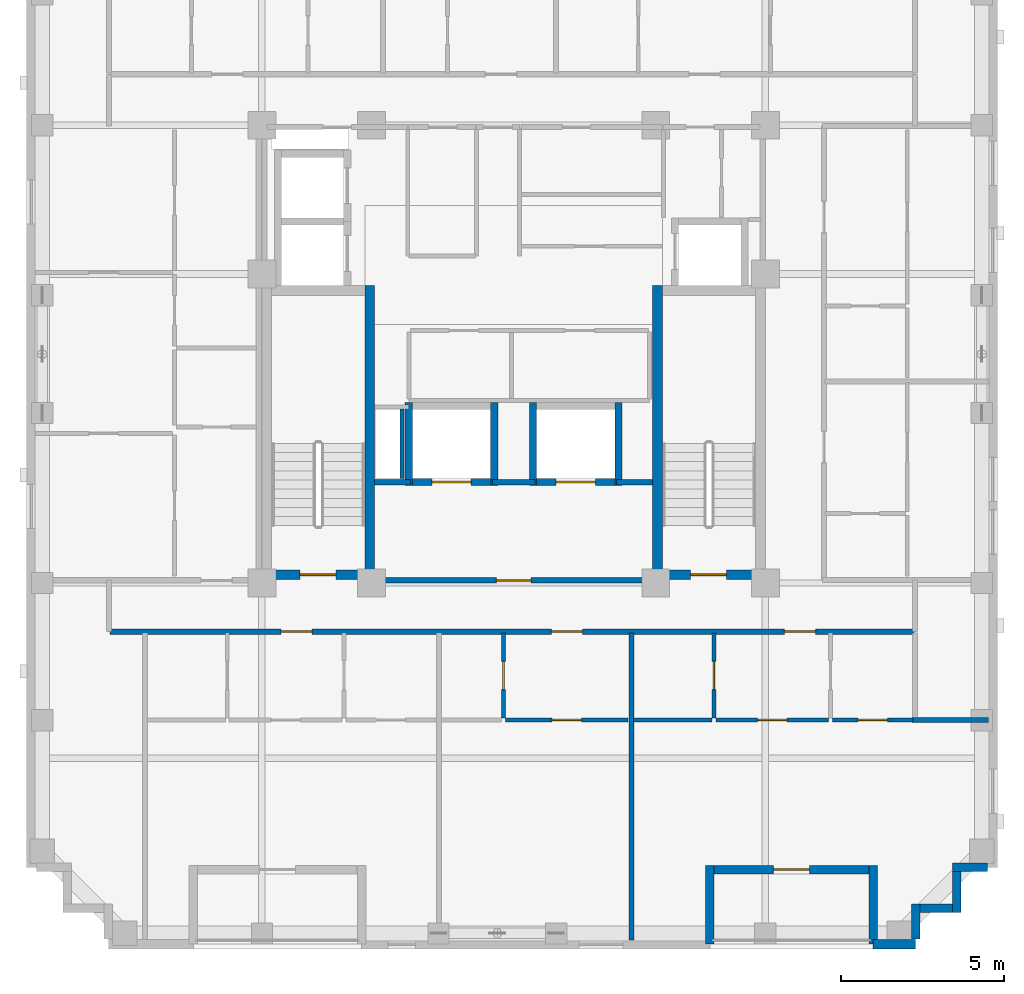
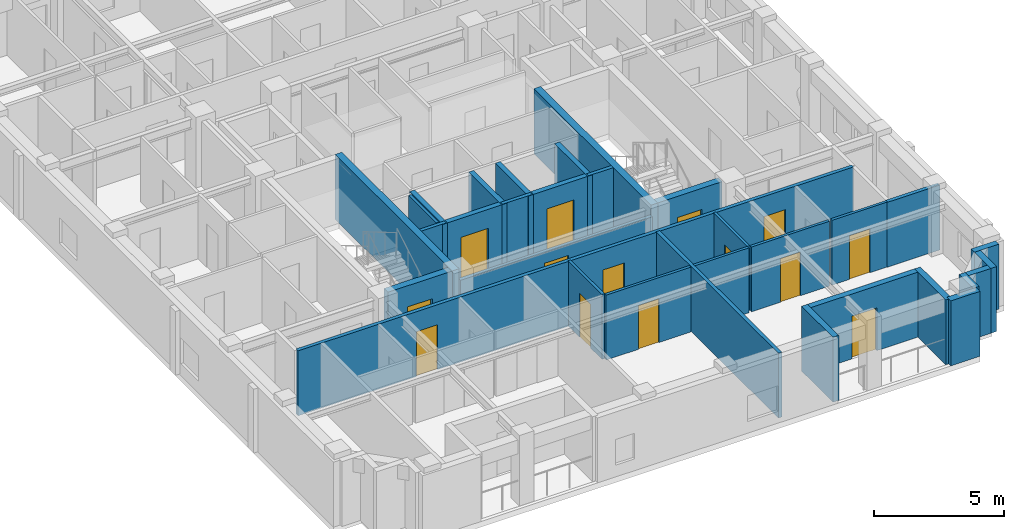
# One storey, part 3 of 11: 32 walls, 14 doors, 14 openings.
"""IFC4 building model written with IfcOpenShell, lengths in metres."""

from ifc_helpers import new_model, si_unit, derived_unit, direction, frame, frame_2d, origin, place, context, subcontext, project, spatial, rectangle, extrude, material, layer, layer_set, type_object, element, fill, save


model = new_model("IFC4")

# Units and contexts
model_context = context("Model", 3, precision=1e-05, world=origin(), true_north=direction((0.0, 1.0)))
body_context = subcontext(model_context, "Body", "Model", "MODEL_VIEW")
ifc_project = project(units=[si_unit("LENGTHUNIT", "METRE"), si_unit("AREAUNIT", "SQUARE_METRE"), si_unit("VOLUMEUNIT", "CUBIC_METRE"), si_unit("PLANEANGLEUNIT", "RADIAN"), si_unit("MASSUNIT", "GRAM", prefix="KILO"), derived_unit("THERMALTRANSMITTANCEUNIT", [(si_unit("MASSUNIT", "GRAM", prefix="KILO"), 1), (si_unit("TIMEUNIT", "SECOND"), -3), (si_unit("THERMODYNAMICTEMPERATUREUNIT", "KELVIN"), -1)])], contexts=[model_context])

# Site, building, storey
site_placement = place(None, origin())
site = spatial("IfcSite", under=ifc_project, at=site_placement, CompositionType="ELEMENT")
building_placement = place(site_placement, origin())
building = spatial("IfcBuilding", under=site, at=building_placement, Name="Korrvale Station Residences", CompositionType="ELEMENT")
storey_placement = place(building_placement, frame((0.0, 0.0, 214.0)))
storey = spatial("IfcBuildingStorey", under=building, at=storey_placement, Name="L62", CompositionType="ELEMENT", Elevation=214.0)

# Wall
ifc_material_1 = material(Name="Concrete C50/60", Category="concrete")
ifc_layer_1 = layer(ifc_material_1, 0.300048828125, Name="Concrete C50/60")
ifc_layer_set_1 = layer_set([ifc_layer_1], Name="Concrete C50/60")
wall_type_1 = type_object("IfcWallType", Name="WAL-CORE-300-C50", PredefinedType="SHEAR", material=ifc_layer_set_1)
wall_1_placement = place(storey_placement, frame((21.10009765625, 15.10009765625, 0.0), z_axis=(0.0, 0.0, 1.0), x_axis=(0.0, 1.0, 0.0)))
element("IfcWall", 1, at=wall_1_placement, inside=storey, type_object=wall_type_1, Name="L62 ST-1 Core Shear Wall East", PredefinedType="SHEAR", context=body_context, shape_type="SweptSolid", body=[
    extrude(rectangle(XDim=9.0, YDim=0.300048828125, at=frame_2d((4.5, 0.0))), origin(), (0.0, 0.0, 1.0), 3.0400390625),
])

# Wall, opening, door
wall_2_placement = place(storey_placement, frame((18.10009765625, 15.25, 0.0), z_axis=(0.0, 0.0, 1.0), x_axis=(1.0, 0.0, 0.0)))
wall_2 = element("IfcWall", 2, at=wall_2_placement, inside=storey, type_object=wall_type_1, Name="L62 ST-1 Core Shear Wall South", PredefinedType="SHEAR", context=body_context, shape_type="SweptSolid", body=[
    extrude(rectangle(XDim=2.849853515625, YDim=0.300048828125, at=frame_2d((1.4248046875, 0.0))), origin(), (0.0, 0.0, 1.0), 3.0400390625),
])
opening_1_placement = place(wall_2_placement, frame((0.860107421875, 0.0, 0.0)))
opening_1 = element("IfcOpeningElement", 3, at=opening_1_placement, cuts=wall_2, Name="Opening SD-1100", PredefinedType="OPENING", context=body_context, shape_type="SweptSolid", body=[
    extrude(rectangle(XDim=1.10009765625, YDim=2.050048828125, at=frame_2d((0.550048828125, 1.02490234375))), frame((0.0, 0.16015625, 0.0), z_axis=(0.0, -1.0, 0.0), x_axis=(1.0, 0.0, 0.0)), (0.0, 0.0, 1.0), 0.320068359375),
])
ifc_material_2 = material(Name="Hollow-metal fire-rated stair door with closer", Category="steel")
door_type_1 = type_object("IfcDoorType", Name="DR-STAIR-1100", OperationType="NOTDEFINED", PredefinedType="DOOR", material=ifc_material_2)
door_1_placement = place(opening_1_placement, origin())
door_1 = element("IfcDoor", 4, at=door_1_placement, inside=storey, type_object=door_type_1, Name="L62 ST-1 Exit Stair Door", OperationType="SINGLE_SWING_LEFT", OverallHeight=2.050048828125, OverallWidth=1.10009765625, PredefinedType="DOOR", context=body_context, shape_type="SweptSolid", body=[
    extrude(rectangle(XDim=1.10009765625, YDim=2.050048828125, at=frame_2d((0.550048828125, 1.02490234375))), frame((0.0, 0.02490234375, 0.0), z_axis=(0.0, -1.0, 0.0), x_axis=(1.0, 0.0, 0.0)), (0.0, 0.0, 1.0), 0.050048828125),
])
fill(opening_1, door_1)

# Wall
wall_3_placement = place(storey_placement, frame((29.89990234375, 15.10009765625, 0.0), z_axis=(0.0, 0.0, 1.0), x_axis=(0.0, 1.0, 0.0)))
element("IfcWall", 5, at=wall_3_placement, inside=storey, type_object=wall_type_1, Name="L62 ST-2 Core Shear Wall West", PredefinedType="SHEAR", context=body_context, shape_type="SweptSolid", body=[
    extrude(rectangle(XDim=9.0, YDim=0.300048828125, at=frame_2d((4.5, 0.0))), origin(), (0.0, 0.0, 1.0), 3.0400390625),
])

# Wall, opening, door
wall_4_placement = place(storey_placement, frame((30.050048828125, 15.25, 0.0), z_axis=(0.0, 0.0, 1.0), x_axis=(1.0, 0.0, 0.0)))
wall_4 = element("IfcWall", 6, at=wall_4_placement, inside=storey, type_object=wall_type_1, Name="L62 ST-2 Core Shear Wall South", PredefinedType="SHEAR", context=body_context, shape_type="SweptSolid", body=[
    extrude(rectangle(XDim=2.849853515625, YDim=0.300048828125, at=frame_2d((1.4248046875, 0.0))), origin(), (0.0, 0.0, 1.0), 3.0400390625),
])
opening_2_placement = place(wall_4_placement, frame((0.860107421875, 0.0, 0.0)))
opening_2 = element("IfcOpeningElement", 7, at=opening_2_placement, cuts=wall_4, Name="Opening SD-1100", PredefinedType="OPENING", context=body_context, shape_type="SweptSolid", body=[
    extrude(rectangle(XDim=1.10009765625, YDim=2.050048828125, at=frame_2d((0.550048828125, 1.02490234375))), frame((0.0, 0.16015625, 0.0), z_axis=(0.0, -1.0, 0.0), x_axis=(1.0, 0.0, 0.0)), (0.0, 0.0, 1.0), 0.320068359375),
])
door_2_placement = place(opening_2_placement, origin())
door_2 = element("IfcDoor", 8, at=door_2_placement, inside=storey, type_object=door_type_1, Name="L62 ST-2 Exit Stair Door", OperationType="SINGLE_SWING_RIGHT", OverallHeight=2.050048828125, OverallWidth=1.10009765625, PredefinedType="DOOR", context=body_context, shape_type="SweptSolid", body=[
    extrude(rectangle(XDim=1.10009765625, YDim=2.050048828125, at=frame_2d((0.550048828125, 1.02490234375))), frame((0.0, 0.02490234375, 0.0), z_axis=(0.0, -1.0, 0.0), x_axis=(1.0, 0.0, 0.0)), (0.0, 0.0, 1.0), 0.050048828125),
])
fill(opening_2, door_2)

# Wall
ifc_material_3 = material(Name="Precast concrete C45/55", Category="concrete")
ifc_layer_2 = layer(ifc_material_3, 0.260009765625, Name="Precast concrete C45/55")
ifc_layer_set_2 = layer_set([ifc_layer_2], Name="Precast concrete C45/55")
wall_type_2 = type_object("IfcWallType", Name="WAL-EXT-LOG260", PredefinedType="SOLIDWALL", material=ifc_layer_set_2)
wall_5_placement = place(storey_placement, frame((36.5, 3.9599609375, 0.0), z_axis=(0.0, 0.0, 1.0), x_axis=(0.0, 1.0, 0.0)))
element("IfcWall", 9, at=wall_5_placement, inside=storey, type_object=wall_type_2, Name="L62 Recessed Loggia Wall BAL-L62-S2-L", PredefinedType="SOLIDWALL", context=body_context, shape_type="SweptSolid", body=[
    extrude(rectangle(XDim=2.400146484375, YDim=0.260009765625, at=frame_2d((1.2001953125, 0.0))), origin(), (0.0, 0.0, 1.0), 3.0400390625),
])

# Wall, opening, door
wall_6_placement = place(storey_placement, frame((36.365966796875, 6.22998046875, 0.0), z_axis=(0.0, 0.0, 1.0), x_axis=(-1.0, 0.0, 0.0)))
wall_6 = element("IfcWall", 10, at=wall_6_placement, inside=storey, type_object=wall_type_2, Name="L62 Recessed Loggia Wall BAL-L62-S2-B", PredefinedType="SOLIDWALL", context=body_context, shape_type="SweptSolid", body=[
    extrude(rectangle(XDim=4.73193359375, YDim=0.260009765625, at=frame_2d((2.365966796875, 0.0))), origin(), (0.0, 0.0, 1.0), 3.0400390625),
])
opening_3_placement = place(wall_6_placement, frame((1.81591796875, 0.0, 0.0)))
opening_3 = element("IfcOpeningElement", 11, at=opening_3_placement, cuts=wall_6, Name="Opening BD-01", PredefinedType="OPENING", context=body_context, shape_type="SweptSolid", body=[
    extrude(rectangle(XDim=1.10009765625, YDim=2.0, at=frame_2d((0.550048828125, 1.0))), frame((0.0, 0.14013671875, 0.0), z_axis=(0.0, -1.0, 0.0), x_axis=(1.0, 0.0, 0.0)), (0.0, 0.0, 1.0), 0.280029296875),
])
ifc_material_4 = material(Name="Exterior thermally broken aluminium glazed balcony door", Category="aluminium")
door_type_2 = type_object("IfcDoorType", Name="DR-EXT-BAL", OperationType="NOTDEFINED", PredefinedType="DOOR", material=ifc_material_4)
door_3_placement = place(opening_3_placement, origin())
door_3 = element("IfcDoor", 12, at=door_3_placement, inside=storey, type_object=door_type_2, Name="L62 Loggia Balcony Door BAL-L62-S2", OperationType="SINGLE_SWING_RIGHT", OverallHeight=2.0, OverallWidth=1.10009765625, PredefinedType="DOOR", context=body_context, shape_type="SweptSolid", body=[
    extrude(rectangle(XDim=1.10009765625, YDim=2.0, at=frame_2d((0.550048828125, 1.0))), frame((0.0, 0.02490234375, 0.0), z_axis=(0.0, -1.0, 0.0), x_axis=(1.0, 0.0, 0.0)), (0.0, 0.0, 1.0), 0.050048828125),
])
fill(opening_3, door_3)

# Walls
wall_7_placement = place(storey_placement, frame((31.5, 6.360107421875, 0.0), z_axis=(0.0, 0.0, 1.0), x_axis=(0.0, -1.0, 0.0)))
element("IfcWall", 13, at=wall_7_placement, inside=storey, type_object=wall_type_2, Name="L62 Recessed Loggia Wall BAL-L62-S2-R", PredefinedType="SOLIDWALL", context=body_context, shape_type="SweptSolid", body=[
    extrude(rectangle(XDim=2.400146484375, YDim=0.260009765625, at=frame_2d((1.2001953125, 0.0))), origin(), (0.0, 0.0, 1.0), 3.0400390625),
])
wall_8_placement = place(storey_placement, frame((39.998046875, 6.300048828125, 0.0), z_axis=(0.0, 0.0, 1.0), x_axis=(-1.0, 0.0, 0.0)))
element("IfcWall", 14, at=wall_8_placement, inside=storey, type_object=wall_type_2, Name="L62 Serrated Corner Precast Step SE-1", PredefinedType="SOLIDWALL", context=body_context, shape_type="SweptSolid", body=[
    extrude(rectangle(XDim=1.078125, YDim=0.260009765625, at=frame_2d((0.5390625, 0.0))), origin(), (0.0, 0.0, 1.0), 3.0400390625),
])
wall_9_placement = place(storey_placement, frame((39.050048828125, 6.16796875, 0.0), z_axis=(0.0, 0.0, 1.0), x_axis=(0.0, -1.0, 0.0)))
element("IfcWall", 15, at=wall_9_placement, inside=storey, type_object=wall_type_2, Name="L62 Serrated Corner Precast Step SE-2", PredefinedType="SOLIDWALL", context=body_context, shape_type="SweptSolid", body=[
    extrude(rectangle(XDim=1.248046875, YDim=0.260009765625, at=frame_2d((0.6240234375, 0.0))), origin(), (0.0, 0.0, 1.0), 3.0400390625),
])
wall_10_placement = place(storey_placement, frame((38.91796875, 5.050048828125, 0.0), z_axis=(0.0, 0.0, 1.0), x_axis=(-1.0, 0.0, 0.0)))
element("IfcWall", 16, at=wall_10_placement, inside=storey, type_object=wall_type_2, Name="L62 Serrated Corner Precast Step SE-3", PredefinedType="SOLIDWALL", context=body_context, shape_type="SweptSolid", body=[
    extrude(rectangle(XDim=0.986083984375, YDim=0.260009765625, at=frame_2d((0.4931640625, 0.0))), origin(), (0.0, 0.0, 1.0), 3.0400390625),
])
wall_11_placement = place(storey_placement, frame((37.800048828125, 5.179931640625, 0.0), z_axis=(0.0, 0.0, 1.0), x_axis=(0.0, -1.0, 0.0)))
element("IfcWall", 17, at=wall_11_placement, inside=storey, type_object=wall_type_2, Name="L62 Serrated Corner Precast Step SE-4", PredefinedType="SOLIDWALL", context=body_context, shape_type="SweptSolid", body=[
    extrude(rectangle(XDim=1.077880859375, YDim=0.260009765625, at=frame_2d((0.5390625, 0.0))), origin(), (0.0, 0.0, 1.0), 3.0400390625),
])
ifc_layer_3 = layer(ifc_material_3, 0.300048828125, Name="Precast concrete C45/55")
ifc_layer_set_3 = layer_set([ifc_layer_3], Name="Precast concrete C45/55")
wall_type_3 = type_object("IfcWallType", Name="WAL-EXT-PC300", PredefinedType="SOLIDWALL", material=ifc_layer_set_3)
wall_12_placement = place(storey_placement, frame((37.800048828125, 3.949951171875, 0.0), z_axis=(0.0, 0.0, 1.0), x_axis=(-1.0, 0.0, 0.0)))
element("IfcWall", 18, at=wall_12_placement, inside=storey, type_object=wall_type_3, Name="L62 South Exterior Precast Wall 1", PredefinedType="SOLIDWALL", context=body_context, shape_type="SweptSolid", body=[
    extrude(rectangle(XDim=1.300048828125, YDim=0.300048828125, at=frame_2d((0.64990234375, 0.0))), origin(), (0.0, 0.0, 1.0), 3.0400390625),
])
ifc_material_5 = material(Name="Acoustic steel-stud gypsum board partition", Category="steel")
ifc_layer_4 = layer(ifc_material_5, 0.1201171875, Name="Acoustic steel-stud gypsum board partition")
ifc_layer_set_4 = layer_set([ifc_layer_4], Name="Acoustic steel-stud gypsum board partition")
wall_type_4 = type_object("IfcWallType", Name="WAL-PART-125", PredefinedType="PARTITIONING", material=ifc_layer_set_4)
wall_13_placement = place(storey_placement, frame((22.080078125, 18.199951171875, 0.0), z_axis=(0.0, 0.0, 1.0), x_axis=(0.0, 1.0, 0.0)))
element("IfcWall", 19, at=wall_13_placement, inside=storey, type_object=wall_type_4, Name="L62 Core Partition CW-RSWT", PredefinedType="PARTITIONING", context=body_context, shape_type="SweptSolid", body=[
    extrude(rectangle(XDim=2.1201171875, YDim=0.1201171875, at=frame_2d((1.06005859375, 0.0))), origin(), (0.0, 0.0, 1.0), 3.0400390625),
])

# Wall, opening, door
wall_14_placement = place(storey_placement, frame((25.18994140625, 10.8701171875, 0.0), z_axis=(0.0, 0.0, 1.0), x_axis=(0.0, 1.0, 0.0)))
wall_14 = element("IfcWall", 20, at=wall_14_placement, inside=storey, type_object=wall_type_4, Name="L62 Suite Partition U02-V01", PredefinedType="PARTITIONING", context=body_context, shape_type="SweptSolid", body=[
    extrude(rectangle(XDim=2.599853515625, YDim=0.1201171875, at=frame_2d((1.2998046875, 0.0))), origin(), (0.0, 0.0, 1.0), 3.0400390625),
])
opening_4_placement = place(wall_14_placement, frame((0.8701171875, 0.0, 0.0)))
opening_4 = element("IfcOpeningElement", 21, at=opening_4_placement, cuts=wall_14, Name="Opening DB-860", PredefinedType="OPENING", context=body_context, shape_type="SweptSolid", body=[
    extrude(rectangle(XDim=0.860107421875, YDim=2.050048828125, at=frame_2d((0.43017578125, 1.02490234375))), frame((0.0, 0.070068359375, 0.0), z_axis=(0.0, -1.0, 0.0), x_axis=(1.0, 0.0, 0.0)), (0.0, 0.0, 1.0), 0.14013671875),
])
ifc_material_6 = material(Name="Moisture-resistant solid-core bathroom door", Category="timber")
door_type_3 = type_object("IfcDoorType", Name="DR-BATH-860", OperationType="NOTDEFINED", PredefinedType="DOOR", material=ifc_material_6)
door_4_placement = place(opening_4_placement, origin())
door_4 = element("IfcDoor", 22, at=door_4_placement, inside=storey, type_object=door_type_3, Name="L62 Studio Apartment L62-U02 Bathroom Door", OperationType="SINGLE_SWING_LEFT", OverallHeight=2.050048828125, OverallWidth=0.860107421875, PredefinedType="DOOR", context=body_context, shape_type="SweptSolid", body=[
    extrude(rectangle(XDim=0.860107421875, YDim=2.050048828125, at=frame_2d((0.43017578125, 1.02490234375))), frame((0.0, 0.02490234375, 0.0), z_axis=(0.0, -1.0, 0.0), x_axis=(1.0, 0.0, 0.0)), (0.0, 0.0, 1.0), 0.050048828125),
])
fill(opening_4, door_4)

wall_15_placement = place(storey_placement, frame((25.25, 10.81005859375, 0.0), z_axis=(0.0, 0.0, 1.0), x_axis=(1.0, 0.0, 0.0)))
wall_15 = element("IfcWall", 23, at=wall_15_placement, inside=storey, type_object=wall_type_4, Name="L62 Suite Partition U02-H12", PredefinedType="PARTITIONING", context=body_context, shape_type="SweptSolid", body=[
    extrude(rectangle(XDim=3.7548828125, YDim=0.1201171875, at=frame_2d((1.87744140625, 0.0))), origin(), (0.0, 0.0, 1.0), 3.0400390625),
])
opening_5_placement = place(wall_15_placement, frame((1.427001953125, 0.0, 0.0)))
opening_5 = element("IfcOpeningElement", 24, at=opening_5_placement, cuts=wall_15, Name="Opening DI-900", PredefinedType="OPENING", context=body_context, shape_type="SweptSolid", body=[
    extrude(rectangle(XDim=0.89990234375, YDim=2.050048828125, at=frame_2d((0.449951171875, 1.02490234375))), frame((0.0, 0.070068359375, 0.0), z_axis=(0.0, -1.0, 0.0), x_axis=(1.0, 0.0, 0.0)), (0.0, 0.0, 1.0), 0.14013671875),
])
ifc_material_7 = material(Name="Painted solid-core timber interior room door", Category="wood")
door_type_4 = type_object("IfcDoorType", Name="DR-INT-900", OperationType="NOTDEFINED", PredefinedType="DOOR", material=ifc_material_7)
door_5_placement = place(opening_5_placement, origin())
door_5 = element("IfcDoor", 25, at=door_5_placement, inside=storey, type_object=door_type_4, Name="L62 Studio Apartment L62-U02 Kitchen Door", OperationType="SINGLE_SWING_RIGHT", OverallHeight=2.050048828125, OverallWidth=0.89990234375, PredefinedType="DOOR", context=body_context, shape_type="SweptSolid", body=[
    extrude(rectangle(XDim=0.89990234375, YDim=2.050048828125, at=frame_2d((0.449951171875, 1.02490234375))), frame((0.0, 0.02490234375, 0.0), z_axis=(0.0, -1.0, 0.0), x_axis=(1.0, 0.0, 0.0)), (0.0, 0.0, 1.0), 0.050048828125),
])
fill(opening_5, door_5)

wall_16_placement = place(storey_placement, frame((31.625, 10.8701171875, 0.0), z_axis=(0.0, 0.0, 1.0), x_axis=(0.0, 1.0, 0.0)))
wall_16 = element("IfcWall", 26, at=wall_16_placement, inside=storey, type_object=wall_type_4, Name="L62 Suite Partition U03-V01", PredefinedType="PARTITIONING", context=body_context, shape_type="SweptSolid", body=[
    extrude(rectangle(XDim=2.599853515625, YDim=0.1201171875, at=frame_2d((1.2998046875, 0.0))), origin(), (0.0, 0.0, 1.0), 3.0400390625),
])
opening_6_placement = place(wall_16_placement, frame((0.8701171875, 0.0, 0.0)))
opening_6 = element("IfcOpeningElement", 27, at=opening_6_placement, cuts=wall_16, Name="Opening DB-860", PredefinedType="OPENING", context=body_context, shape_type="SweptSolid", body=[
    extrude(rectangle(XDim=0.860107421875, YDim=2.050048828125, at=frame_2d((0.43017578125, 1.02490234375))), frame((0.0, 0.070068359375, 0.0), z_axis=(0.0, -1.0, 0.0), x_axis=(1.0, 0.0, 0.0)), (0.0, 0.0, 1.0), 0.14013671875),
])
door_6_placement = place(opening_6_placement, origin())
door_6 = element("IfcDoor", 28, at=door_6_placement, inside=storey, type_object=door_type_3, Name="L62 Studio Apartment L62-U03 Bathroom Door", OperationType="SINGLE_SWING_LEFT", OverallHeight=2.050048828125, OverallWidth=0.860107421875, PredefinedType="DOOR", context=body_context, shape_type="SweptSolid", body=[
    extrude(rectangle(XDim=0.860107421875, YDim=2.050048828125, at=frame_2d((0.43017578125, 1.02490234375))), frame((0.0, 0.02490234375, 0.0), z_axis=(0.0, -1.0, 0.0), x_axis=(1.0, 0.0, 0.0)), (0.0, 0.0, 1.0), 0.050048828125),
])
fill(opening_6, door_6)

# Wall
wall_17_placement = place(storey_placement, frame((29.1650390625, 10.81005859375, 0.0), z_axis=(0.0, 0.0, 1.0), x_axis=(1.0, 0.0, 0.0)))
element("IfcWall", 29, at=wall_17_placement, inside=storey, type_object=wall_type_4, Name="L62 Suite Partition U03-H03", PredefinedType="PARTITIONING", context=body_context, shape_type="SweptSolid", body=[
    extrude(rectangle(XDim=2.39990234375, YDim=0.1201171875, at=frame_2d((1.199951171875, 0.0))), origin(), (0.0, 0.0, 1.0), 3.0400390625),
])

# Wall, opening, door
wall_18_placement = place(storey_placement, frame((31.68505859375, 10.81005859375, 0.0), z_axis=(0.0, 0.0, 1.0), x_axis=(1.0, 0.0, 0.0)))
wall_18 = element("IfcWall", 30, at=wall_18_placement, inside=storey, type_object=wall_type_4, Name="L62 Suite Partition U03-H13", PredefinedType="PARTITIONING", context=body_context, shape_type="SweptSolid", body=[
    extrude(rectangle(XDim=3.449951171875, YDim=0.1201171875, at=frame_2d((1.72509765625, 0.0))), origin(), (0.0, 0.0, 1.0), 3.0400390625),
])
opening_7_placement = place(wall_18_placement, frame((1.27490234375, 0.0, 0.0)))
opening_7 = element("IfcOpeningElement", 31, at=opening_7_placement, cuts=wall_18, Name="Opening DI-900", PredefinedType="OPENING", context=body_context, shape_type="SweptSolid", body=[
    extrude(rectangle(XDim=0.89990234375, YDim=2.050048828125, at=frame_2d((0.449951171875, 1.02490234375))), frame((0.0, 0.070068359375, 0.0), z_axis=(0.0, -1.0, 0.0), x_axis=(1.0, 0.0, 0.0)), (0.0, 0.0, 1.0), 0.14013671875),
])
door_7_placement = place(opening_7_placement, origin())
door_7 = element("IfcDoor", 32, at=door_7_placement, inside=storey, type_object=door_type_4, Name="L62 Studio Apartment L62-U03 Kitchen Door", OperationType="SINGLE_SWING_LEFT", OverallHeight=2.050048828125, OverallWidth=0.89990234375, PredefinedType="DOOR", context=body_context, shape_type="SweptSolid", body=[
    extrude(rectangle(XDim=0.89990234375, YDim=2.050048828125, at=frame_2d((0.449951171875, 1.02490234375))), frame((0.0, 0.02490234375, 0.0), z_axis=(0.0, -1.0, 0.0), x_axis=(1.0, 0.0, 0.0)), (0.0, 0.0, 1.0), 0.050048828125),
])
fill(opening_7, door_7)

wall_19_placement = place(storey_placement, frame((35.2548828125, 10.81005859375, 0.0), z_axis=(0.0, 0.0, 1.0), x_axis=(1.0, 0.0, 0.0)))
wall_19 = element("IfcWall", 33, at=wall_19_placement, inside=storey, type_object=wall_type_4, Name="L62 Suite Partition U03-H23", PredefinedType="PARTITIONING", context=body_context, shape_type="SweptSolid", body=[
    extrude(rectangle(XDim=2.465087890625, YDim=0.1201171875, at=frame_2d((1.232421875, 0.0))), origin(), (0.0, 0.0, 1.0), 3.0400390625),
])
opening_8_placement = place(wall_19_placement, frame((0.781982421875, 0.0, 0.0)))
opening_8 = element("IfcOpeningElement", 34, at=opening_8_placement, cuts=wall_19, Name="Opening DI-900", PredefinedType="OPENING", context=body_context, shape_type="SweptSolid", body=[
    extrude(rectangle(XDim=0.89990234375, YDim=2.050048828125, at=frame_2d((0.449951171875, 1.02490234375))), frame((0.0, 0.070068359375, 0.0), z_axis=(0.0, -1.0, 0.0), x_axis=(1.0, 0.0, 0.0)), (0.0, 0.0, 1.0), 0.14013671875),
])
door_8_placement = place(opening_8_placement, origin())
door_8 = element("IfcDoor", 35, at=door_8_placement, inside=storey, type_object=door_type_4, Name="L62 Studio Apartment L62-U03 Utility and Laundry Room Door", OperationType="SINGLE_SWING_RIGHT", OverallHeight=2.050048828125, OverallWidth=0.89990234375, PredefinedType="DOOR", context=body_context, shape_type="SweptSolid", body=[
    extrude(rectangle(XDim=0.89990234375, YDim=2.050048828125, at=frame_2d((0.449951171875, 1.02490234375))), frame((0.0, 0.02490234375, 0.0), z_axis=(0.0, -1.0, 0.0), x_axis=(1.0, 0.0, 0.0)), (0.0, 0.0, 1.0), 0.050048828125),
])
fill(opening_8, door_8)

ifc_material_8 = material(Name="Fire-rated twin-stud gypsum and mineral wool shaftwall assembly", Category="gypsum")
ifc_layer_5 = layer(ifc_material_8, 0.159912109375, Name="Fire-rated twin-stud gypsum and mineral wool shaftwall assembly")
ifc_layer_set_5 = layer_set([ifc_layer_5], Name="Fire-rated twin-stud gypsum and mineral wool shaftwall assembly")
wall_type_5 = type_object("IfcWallType", Name="WAL-PART-200", PredefinedType="PARTITIONING", material=ifc_layer_set_5)
wall_20_placement = place(storey_placement, frame((21.25, 15.080078125, 0.0), z_axis=(0.0, 0.0, 1.0), x_axis=(1.0, 0.0, 0.0)))
wall_20 = element("IfcWall", 36, at=wall_20_placement, inside=storey, type_object=wall_type_5, Name="L62 Core Partition CW-FFL-S", PredefinedType="PARTITIONING", context=body_context, shape_type="SweptSolid", body=[
    extrude(rectangle(XDim=8.5, YDim=0.159912109375, at=frame_2d((4.25, 0.0))), origin(), (0.0, 0.0, 1.0), 2.555908203125),
])
opening_9_placement = place(wall_20_placement, frame((3.72509765625, 0.0, 0.0)))
opening_9 = element("IfcOpeningElement", 37, at=opening_9_placement, cuts=wall_20, Name="Opening FD-1050", PredefinedType="OPENING", context=body_context, shape_type="SweptSolid", body=[
    extrude(rectangle(XDim=1.050048828125, YDim=2.050048828125, at=frame_2d((0.52490234375, 1.02490234375))), frame((0.0, 0.08984375, 0.0), z_axis=(0.0, -1.0, 0.0), x_axis=(1.0, 0.0, 0.0)), (0.0, 0.0, 1.0), 0.179931640625),
])
ifc_material_9 = material(Name="Fire-rated mineral-core timber lobby door", Category="wood")
door_type_5 = type_object("IfcDoorType", Name="DR-CORE-1050", OperationType="NOTDEFINED", PredefinedType="DOOR", material=ifc_material_9)
door_9_placement = place(opening_9_placement, origin())
door_9 = element("IfcDoor", 38, at=door_9_placement, inside=storey, type_object=door_type_5, Name="L62 Firefighting Lobby Entry Door", OperationType="SINGLE_SWING_LEFT", OverallHeight=2.050048828125, OverallWidth=1.050048828125, PredefinedType="DOOR", context=body_context, shape_type="SweptSolid", body=[
    extrude(rectangle(XDim=1.050048828125, YDim=2.050048828125, at=frame_2d((0.52490234375, 1.02490234375))), frame((0.0, 0.02490234375, 0.0), z_axis=(0.0, -1.0, 0.0), x_axis=(1.0, 0.0, 0.0)), (0.0, 0.0, 1.0), 0.050048828125),
])
fill(opening_9, door_9)

# Walls
wall_21_placement = place(storey_placement, frame((21.25, 18.080078125, 0.0), z_axis=(0.0, 0.0, 1.0), x_axis=(1.0, 0.0, 0.0)))
element("IfcWall", 39, at=wall_21_placement, inside=storey, type_object=wall_type_5, Name="L62 Core Partition CW-FFL-N1", PredefinedType="PARTITIONING", context=body_context, shape_type="SweptSolid", body=[
    extrude(rectangle(XDim=1.10009765625, YDim=0.159912109375, at=frame_2d((0.550048828125, 0.0))), origin(), (0.0, 0.0, 1.0), 3.0400390625),
])
wall_22_placement = place(storey_placement, frame((24.85009765625, 18.080078125, 0.0), z_axis=(0.0, 0.0, 1.0), x_axis=(1.0, 0.0, 0.0)))
element("IfcWall", 40, at=wall_22_placement, inside=storey, type_object=wall_type_5, Name="L62 Core Partition CW-FFL-N2", PredefinedType="PARTITIONING", context=body_context, shape_type="SweptSolid", body=[
    extrude(rectangle(XDim=1.2998046875, YDim=0.159912109375, at=frame_2d((0.64990234375, 0.0))), origin(), (0.0, 0.0, 1.0), 3.0400390625),
])
wall_23_placement = place(storey_placement, frame((28.64990234375, 18.080078125, 0.0), z_axis=(0.0, 0.0, 1.0), x_axis=(1.0, 0.0, 0.0)))
element("IfcWall", 41, at=wall_23_placement, inside=storey, type_object=wall_type_5, Name="L62 Core Partition CW-FFL-N3", PredefinedType="PARTITIONING", context=body_context, shape_type="SweptSolid", body=[
    extrude(rectangle(XDim=1.10009765625, YDim=0.159912109375, at=frame_2d((0.550048828125, 0.0))), origin(), (0.0, 0.0, 1.0), 3.0400390625),
])
wall_24_placement = place(storey_placement, frame((37.679931640625, 10.81005859375, 0.0), z_axis=(0.0, 0.0, 1.0), x_axis=(1.0, 0.0, 0.0)))
element("IfcWall", 42, at=wall_24_placement, inside=storey, type_object=wall_type_5, Name="L62 Corner Step Wall U03-R", PredefinedType="PARTITIONING", context=body_context, shape_type="SweptSolid", body=[
    extrude(rectangle(XDim=2.340087890625, YDim=0.159912109375, at=frame_2d((1.169921875, 0.0))), origin(), (0.0, 0.0, 1.0), 3.0400390625),
])
wall_25_placement = place(storey_placement, frame((29.10498046875, 4.080078125, 0.0), z_axis=(0.0, 0.0, 1.0), x_axis=(0.0, 1.0, 0.0)))
element("IfcWall", 43, at=wall_25_placement, inside=storey, type_object=wall_type_5, Name="L62 Demising Wall U03-W", PredefinedType="PARTITIONING", context=body_context, shape_type="SweptSolid", body=[
    extrude(rectangle(XDim=9.389892578125, YDim=0.159912109375, at=frame_2d((4.69482421875, 0.0))), origin(), (0.0, 0.0, 1.0), 3.0400390625),
])

# Wall, openings, doors
wall_26_placement = place(storey_placement, frame((13.14990234375, 13.510009765625, 0.0), z_axis=(0.0, 0.0, 1.0), x_axis=(1.0, 0.0, 0.0)))
wall_26 = element("IfcWall", 44, at=wall_26_placement, inside=storey, type_object=wall_type_5, Name="L62 Rated Corridor Wall S", PredefinedType="PARTITIONING", context=body_context, shape_type="SweptSolid", body=[
    extrude(rectangle(XDim=24.60009765625, YDim=0.159912109375, at=frame_2d((12.300048828125, 0.0))), origin(), (0.0, 0.0, 1.0), 3.0400390625),
])
opening_10_placement = place(wall_26_placement, frame((5.235107421875, 0.0, 0.0)))
opening_10 = element("IfcOpeningElement", 45, at=opening_10_placement, cuts=wall_26, Name="Opening UD-950", PredefinedType="OPENING", context=body_context, shape_type="SweptSolid", body=[
    extrude(rectangle(XDim=0.949951171875, YDim=2.10009765625, at=frame_2d((0.47509765625, 1.050048828125))), frame((0.0, 0.08984375, 0.0), z_axis=(0.0, -1.0, 0.0), x_axis=(1.0, 0.0, 0.0)), (0.0, 0.0, 1.0), 0.179931640625),
])
opening_11_placement = place(wall_26_placement, frame((13.5029296875, 0.0, 0.0)))
opening_11 = element("IfcOpeningElement", 46, at=opening_11_placement, cuts=wall_26, Name="Opening UD-950", PredefinedType="OPENING", context=body_context, shape_type="SweptSolid", body=[
    extrude(rectangle(XDim=0.949951171875, YDim=2.10009765625, at=frame_2d((0.47509765625, 1.050048828125))), frame((0.0, 0.08984375, 0.0), z_axis=(0.0, -1.0, 0.0), x_axis=(1.0, 0.0, 0.0)), (0.0, 0.0, 1.0), 0.179931640625),
])
opening_12_placement = place(wall_26_placement, frame((20.635009765625, 0.0, 0.0)))
opening_12 = element("IfcOpeningElement", 47, at=opening_12_placement, cuts=wall_26, Name="Opening UD-950", PredefinedType="OPENING", context=body_context, shape_type="SweptSolid", body=[
    extrude(rectangle(XDim=0.949951171875, YDim=2.10009765625, at=frame_2d((0.47509765625, 1.050048828125))), frame((0.0, 0.08984375, 0.0), z_axis=(0.0, -1.0, 0.0), x_axis=(1.0, 0.0, 0.0)), (0.0, 0.0, 1.0), 0.179931640625),
])
ifc_material_10 = material(Name="Solid-core acoustic oak apartment entrance door", Category="timber")
door_type_6 = type_object("IfcDoorType", Name="DR-UNIT-950", OperationType="NOTDEFINED", PredefinedType="DOOR", material=ifc_material_10)
door_10_placement = place(opening_10_placement, origin())
door_10 = element("IfcDoor", 48, at=door_10_placement, inside=storey, type_object=door_type_6, Name="L62 Apartment L62-U01 Entrance Door", OperationType="SINGLE_SWING_LEFT", OverallHeight=2.10009765625, OverallWidth=0.949951171875, PredefinedType="DOOR", context=body_context, shape_type="SweptSolid", body=[
    extrude(rectangle(XDim=0.949951171875, YDim=2.10009765625, at=frame_2d((0.47509765625, 1.050048828125))), frame((0.0, 0.02490234375, 0.0), z_axis=(0.0, -1.0, 0.0), x_axis=(1.0, 0.0, 0.0)), (0.0, 0.0, 1.0), 0.050048828125),
])
fill(opening_10, door_10)
door_11_placement = place(opening_11_placement, origin())
door_11 = element("IfcDoor", 49, at=door_11_placement, inside=storey, type_object=door_type_6, Name="L62 Apartment L62-U02 Entrance Door", OperationType="SINGLE_SWING_RIGHT", OverallHeight=2.10009765625, OverallWidth=0.949951171875, PredefinedType="DOOR", context=body_context, shape_type="SweptSolid", body=[
    extrude(rectangle(XDim=0.949951171875, YDim=2.10009765625, at=frame_2d((0.47509765625, 1.050048828125))), frame((0.0, 0.02490234375, 0.0), z_axis=(0.0, -1.0, 0.0), x_axis=(1.0, 0.0, 0.0)), (0.0, 0.0, 1.0), 0.050048828125),
])
fill(opening_11, door_11)
door_12_placement = place(opening_12_placement, origin())
door_12 = element("IfcDoor", 50, at=door_12_placement, inside=storey, type_object=door_type_6, Name="L62 Apartment L62-U03 Entrance Door", OperationType="SINGLE_SWING_LEFT", OverallHeight=2.10009765625, OverallWidth=0.949951171875, PredefinedType="DOOR", context=body_context, shape_type="SweptSolid", body=[
    extrude(rectangle(XDim=0.949951171875, YDim=2.10009765625, at=frame_2d((0.47509765625, 1.050048828125))), frame((0.0, 0.02490234375, 0.0), z_axis=(0.0, -1.0, 0.0), x_axis=(1.0, 0.0, 0.0)), (0.0, 0.0, 1.0), 0.050048828125),
])
fill(opening_12, door_12)

# Wall, opening, door
ifc_layer_6 = layer(ifc_material_1, 0.219970703125, Name="Concrete C50/60")
ifc_layer_set_6 = layer_set([ifc_layer_6], Name="Concrete C50/60")
wall_type_6 = type_object("IfcWallType", Name="WAL-SHAFT-220-C50", PredefinedType="SHEAR", material=ifc_layer_set_6)
wall_27_placement = place(storey_placement, frame((22.39990234375, 18.090087890625, 0.0), z_axis=(0.0, 0.0, 1.0), x_axis=(1.0, 0.0, 0.0)))
wall_27 = element("IfcWall", 51, at=wall_27_placement, inside=storey, type_object=wall_type_6, Name="L62 Elevator FFL-1 Hoistway Wall South", PredefinedType="SHEAR", context=body_context, shape_type="SweptSolid", body=[
    extrude(rectangle(XDim=2.400146484375, YDim=0.219970703125, at=frame_2d((1.2001953125, 0.0))), origin(), (0.0, 0.0, 1.0), 3.0400390625),
])
opening_13_placement = place(wall_27_placement, frame((0.60009765625, 0.0, 0.0)))
opening_13 = element("IfcOpeningElement", 52, at=opening_13_placement, cuts=wall_27, Name="Opening LD-FF1200", PredefinedType="OPENING", context=body_context, shape_type="SweptSolid", body=[
    extrude(rectangle(XDim=1.199951171875, YDim=2.14990234375, at=frame_2d((0.60009765625, 1.074951171875))), frame((0.0, 0.1201171875, 0.0), z_axis=(0.0, -1.0, 0.0), x_axis=(1.0, 0.0, 0.0)), (0.0, 0.0, 1.0), 0.239990234375),
])
ifc_material_11 = material(Name="Stainless-steel firefighter elevator landing sliding door", Category="steel")
door_type_7 = type_object("IfcDoorType", Name="DR-LIFT-FF1200", OperationType="SLIDING_TO_LEFT", PredefinedType="DOOR", material=ifc_material_11)
door_13_placement = place(opening_13_placement, origin())
door_13 = element("IfcDoor", 53, at=door_13_placement, inside=storey, type_object=door_type_7, Name="L62 Elevator FFL-1 Sliding Landing Door", OperationType="SLIDING_TO_LEFT", OverallHeight=2.14990234375, OverallWidth=1.199951171875, PredefinedType="DOOR", context=body_context, shape_type="SweptSolid", body=[
    extrude(rectangle(XDim=1.199951171875, YDim=2.14990234375, at=frame_2d((0.60009765625, 1.074951171875))), frame((0.0, 0.02490234375, 0.0), z_axis=(0.0, -1.0, 0.0), x_axis=(1.0, 0.0, 0.0)), (0.0, 0.0, 1.0), 0.050048828125),
])
fill(opening_13, door_13)

# Walls
for number, where, z_axis, x_axis, name in (
    (54, (22.2900390625, 17.97998046875, 0.0), (0.0, 0.0, 1.0), (0.0, 1.0, 0.0), "L62 Elevator FFL-1 Hoistway Wall West"),
    (55, (24.909912109375, 17.97998046875, 0.0), (0.0, 0.0, 1.0), (0.0, 1.0, 0.0), "L62 Elevator FFL-1 Hoistway Wall East"),
):
    element("IfcWall", number, at=place(storey_placement, frame(where, z_axis=z_axis, x_axis=x_axis)), inside=storey, type_object=wall_type_6, Name=name, PredefinedType="SHEAR", context=body_context, shape_type="SweptSolid", body=[
        extrude(rectangle(XDim=2.5400390625, YDim=0.219970703125, at=frame_2d((1.27001953125, 0.0))), origin(), (0.0, 0.0, 1.0), 3.0400390625),
    ])

# Wall, opening, door
wall_28_placement = place(storey_placement, frame((26.199951171875, 18.090087890625, 0.0), z_axis=(0.0, 0.0, 1.0), x_axis=(1.0, 0.0, 0.0)))
wall_28 = element("IfcWall", 56, at=wall_28_placement, inside=storey, type_object=wall_type_6, Name="L62 Elevator FFL-2 Hoistway Wall South", PredefinedType="SHEAR", context=body_context, shape_type="SweptSolid", body=[
    extrude(rectangle(XDim=2.400146484375, YDim=0.219970703125, at=frame_2d((1.2001953125, 0.0))), origin(), (0.0, 0.0, 1.0), 3.0400390625),
])
opening_14_placement = place(wall_28_placement, frame((0.60009765625, 0.0, 0.0)))
opening_14 = element("IfcOpeningElement", 57, at=opening_14_placement, cuts=wall_28, Name="Opening LD-FF1200", PredefinedType="OPENING", context=body_context, shape_type="SweptSolid", body=[
    extrude(rectangle(XDim=1.199951171875, YDim=2.14990234375, at=frame_2d((0.60009765625, 1.074951171875))), frame((0.0, 0.1201171875, 0.0), z_axis=(0.0, -1.0, 0.0), x_axis=(1.0, 0.0, 0.0)), (0.0, 0.0, 1.0), 0.239990234375),
])
door_14_placement = place(opening_14_placement, origin())
door_14 = element("IfcDoor", 58, at=door_14_placement, inside=storey, type_object=door_type_7, Name="L62 Elevator FFL-2 Sliding Landing Door", OperationType="SLIDING_TO_LEFT", OverallHeight=2.14990234375, OverallWidth=1.199951171875, PredefinedType="DOOR", context=body_context, shape_type="SweptSolid", body=[
    extrude(rectangle(XDim=1.199951171875, YDim=2.14990234375, at=frame_2d((0.60009765625, 1.074951171875))), frame((0.0, 0.02490234375, 0.0), z_axis=(0.0, -1.0, 0.0), x_axis=(1.0, 0.0, 0.0)), (0.0, 0.0, 1.0), 0.050048828125),
])
fill(opening_14, door_14)

# Walls
for number, where, z_axis, x_axis, name in (
    (59, (26.090087890625, 17.97998046875, 0.0), (0.0, 0.0, 1.0), (0.0, 1.0, 0.0), "L62 Elevator FFL-2 Hoistway Wall West"),
    (60, (28.7099609375, 17.97998046875, 0.0), (0.0, 0.0, 1.0), (0.0, 1.0, 0.0), "L62 Elevator FFL-2 Hoistway Wall East"),
):
    element("IfcWall", number, at=place(storey_placement, frame(where, z_axis=z_axis, x_axis=x_axis)), inside=storey, type_object=wall_type_6, Name=name, PredefinedType="SHEAR", context=body_context, shape_type="SweptSolid", body=[
        extrude(rectangle(XDim=2.5400390625, YDim=0.219970703125, at=frame_2d((1.27001953125, 0.0))), origin(), (0.0, 0.0, 1.0), 3.0400390625),
    ])

save(model, "model.ifc")
